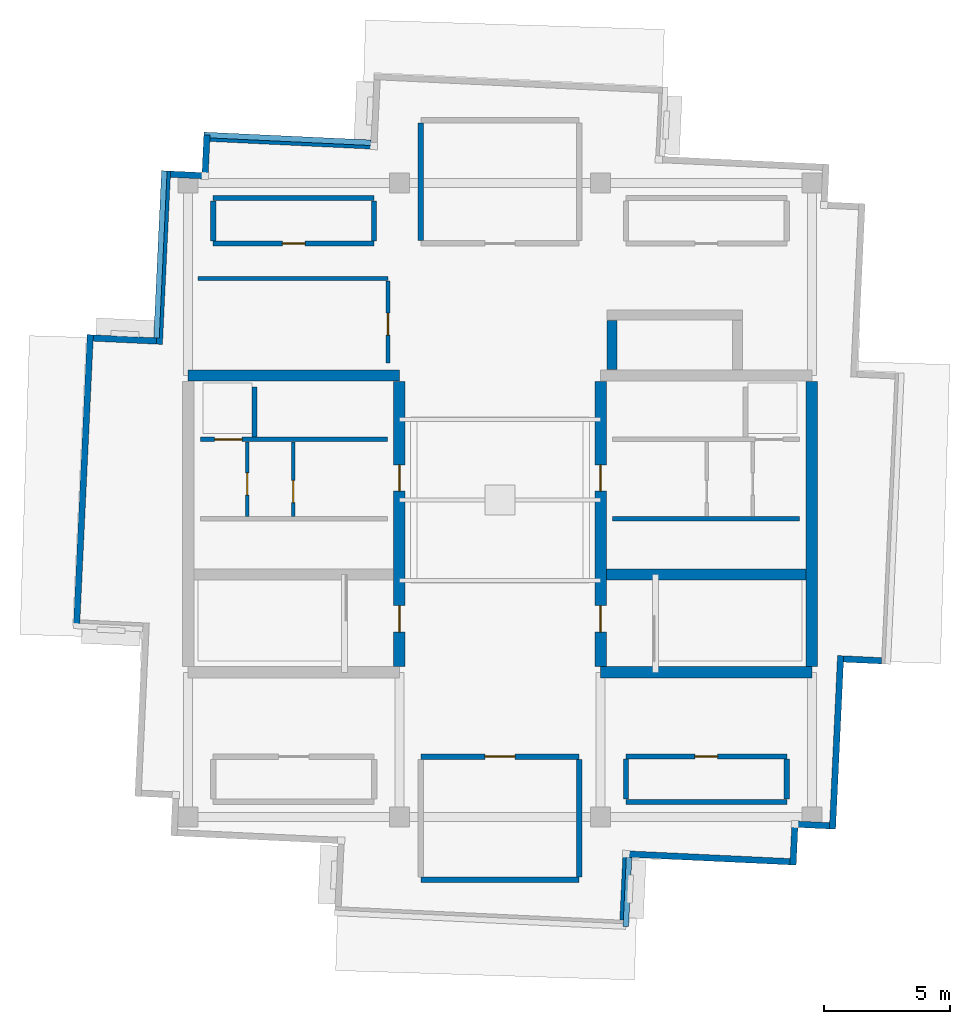
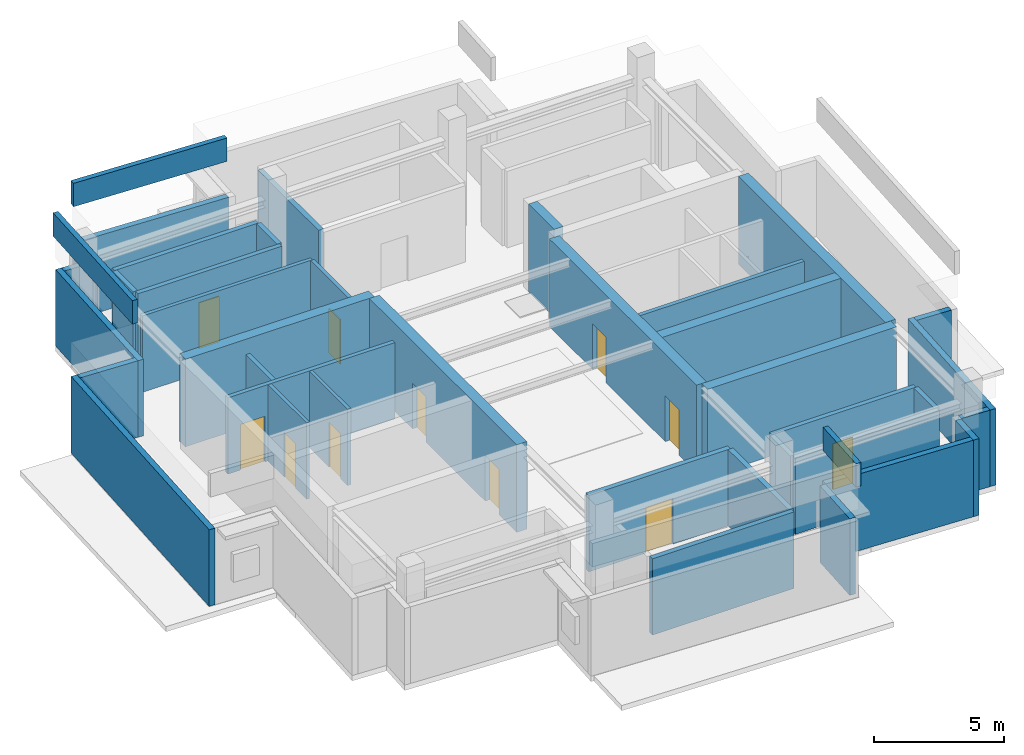
# One storey, part 2 of 4: 41 walls, 11 doors, 11 openings.
"""IFC4 building model written with IfcOpenShell, lengths in metres."""

from ifc_helpers import new_model, si_unit, direction, frame, frame_2d, origin, place, context, subcontext, project, spatial, rectangle, extrude, material, layer, layer_set, type_object, element, fill, save


model = new_model("IFC4")

# Units and contexts
model_context = context("Model", 3, precision=1e-05, world=origin(), true_north=direction((0.0, 1.0)))
body_context = subcontext(model_context, "Body", "Model", "MODEL_VIEW")
ifc_project = project(units=[si_unit("LENGTHUNIT", "METRE"), si_unit("AREAUNIT", "SQUARE_METRE"), si_unit("VOLUMEUNIT", "CUBIC_METRE"), si_unit("PLANEANGLEUNIT", "RADIAN"), si_unit("MASSUNIT", "GRAM", prefix="KILO")], contexts=[model_context])

# Site, building, storey
site_placement = place(None, origin())
site = spatial("IfcSite", under=ifc_project, at=site_placement, CompositionType="ELEMENT")
building_placement = place(site_placement, origin())
building = spatial("IfcBuilding", under=site, at=building_placement, Name="Qingluan Cross Belvedere", CompositionType="ELEMENT")
storey_placement = place(building_placement, frame((0.0, 0.0, 321.89990234375)))
storey = spatial("IfcBuildingStorey", under=building, at=storey_placement, Name="L79", CompositionType="ELEMENT", Elevation=321.89990234375)

# Wall
ifc_material_1 = material(Name="Concrete C50", Category="concrete")
ifc_layer_1 = layer(ifc_material_1, 0.449951171875, Name="CoreShearWall_450")
ifc_layer_set_1 = layer_set([ifc_layer_1], Name="Concrete C50")
wall_type_1 = type_object("IfcWallType", Name="CoreShearWall_450", PredefinedType="SHEAR", material=ifc_layer_set_1)
wall_1_placement = place(storey_placement, frame((-12.39990234375, 4.949951171875, 0.0), z_axis=(0.0, 0.0, 1.0), x_axis=(1.0, 0.0, 0.0)))
element("IfcWall", 1, at=wall_1_placement, inside=storey, type_object=wall_type_1, Name="Split core W shear wall L79-N", PredefinedType="SHEAR", context=body_context, shape_type="SweptSolid", body=[
    extrude(rectangle(XDim=8.39990234375, YDim=0.449951171875, at=frame_2d((4.199951171875, 0.0))), origin(), (0.0, 0.0, 1.0), 4.1201171875),
])

# Wall, openings, doors
wall_2_placement = place(storey_placement, frame((-4.0, -6.6201171875, 0.0), z_axis=(0.0, 0.0, 1.0), x_axis=(0.0, 1.0, 0.0)))
wall_2 = element("IfcWall", 2, at=wall_2_placement, inside=storey, type_object=wall_type_1, Name="Split core W shear wall L79-E", PredefinedType="SHEAR", context=body_context, shape_type="SweptSolid", body=[
    extrude(rectangle(XDim=11.340087890625, YDim=0.449951171875, at=frame_2d((5.669921875, 0.0))), origin(), (0.0, 0.0, 1.0), 4.1201171875),
])
opening_1_placement = place(wall_2_placement, frame((1.3701171875, 0.0, 0.0)))
opening_1 = element("IfcOpeningElement", 3, at=opening_1_placement, cuts=wall_2, Name="Opening FD-B11", PredefinedType="OPENING", context=body_context, shape_type="SweptSolid", body=[
    extrude(rectangle(XDim=1.050048828125, YDim=2.14990234375, at=frame_2d((0.52490234375, 1.074951171875))), frame((0.0, 0.23486328125, 0.0), z_axis=(0.0, -1.0, 0.0), x_axis=(1.0, 0.0, 0.0)), (0.0, 0.0, 1.0), 0.469970703125),
])
opening_2_placement = place(wall_2_placement, frame((6.969970703125, 0.0, 0.0)))
opening_2 = element("IfcOpeningElement", 4, at=opening_2_placement, cuts=wall_2, Name="Opening FD-B11", PredefinedType="OPENING", context=body_context, shape_type="SweptSolid", body=[
    extrude(rectangle(XDim=1.050048828125, YDim=2.14990234375, at=frame_2d((0.52490234375, 1.074951171875))), frame((0.0, 0.23486328125, 0.0), z_axis=(0.0, -1.0, 0.0), x_axis=(1.0, 0.0, 0.0)), (0.0, 0.0, 1.0), 0.469970703125),
])
ifc_material_2 = material(Name="Steel Class B smoke-seal fire door", Category="steel")
door_type_1 = type_object("IfcDoorType", Name="StairLobbyFireDoor_FDB", OperationType="NOTDEFINED", PredefinedType="DOOR", material=ifc_material_2)
door_1_placement = place(opening_1_placement, origin())
door_1 = element("IfcDoor", 5, at=door_1_placement, inside=storey, type_object=door_type_1, Name="Smoke-proof stair ST1 fire door L79", OperationType="SINGLE_SWING_LEFT", OverallHeight=2.14990234375, OverallWidth=1.050048828125, PredefinedType="DOOR", context=body_context, shape_type="SweptSolid", body=[
    extrude(rectangle(XDim=1.050048828125, YDim=2.14990234375, at=frame_2d((0.52490234375, 1.074951171875))), frame((0.0, 0.02490234375, 0.0), z_axis=(0.0, -1.0, 0.0), x_axis=(1.0, 0.0, 0.0)), (0.0, 0.0, 1.0), 0.050048828125),
])
fill(opening_1, door_1)
door_2_placement = place(opening_2_placement, origin())
door_2 = element("IfcDoor", 6, at=door_2_placement, inside=storey, type_object=door_type_1, Name="Firefighting lobby West fire door L79", OperationType="SINGLE_SWING_LEFT", OverallHeight=2.14990234375, OverallWidth=1.050048828125, PredefinedType="DOOR", context=body_context, shape_type="SweptSolid", body=[
    extrude(rectangle(XDim=1.050048828125, YDim=2.14990234375, at=frame_2d((0.52490234375, 1.074951171875))), frame((0.0, 0.02490234375, 0.0), z_axis=(0.0, -1.0, 0.0), x_axis=(1.0, 0.0, 0.0)), (0.0, 0.0, 1.0), 0.050048828125),
])
fill(opening_2, door_2)

# Wall
wall_3_placement = place(storey_placement, frame((4.0, -6.85009765625, 0.0), z_axis=(0.0, 0.0, 1.0), x_axis=(1.0, 0.0, 0.0)))
element("IfcWall", 7, at=wall_3_placement, inside=storey, type_object=wall_type_1, Name="Split core E shear wall L79-S", PredefinedType="SHEAR", context=body_context, shape_type="SweptSolid", body=[
    extrude(rectangle(XDim=8.39990234375, YDim=0.449951171875, at=frame_2d((4.199951171875, 0.0))), origin(), (0.0, 0.0, 1.0), 4.1201171875),
])

# Wall, openings, doors
wall_4_placement = place(storey_placement, frame((4.0, -6.6201171875, 0.0), z_axis=(0.0, 0.0, 1.0), x_axis=(0.0, 1.0, 0.0)))
wall_4 = element("IfcWall", 8, at=wall_4_placement, inside=storey, type_object=wall_type_1, Name="Split core E shear wall L79-W", PredefinedType="SHEAR", context=body_context, shape_type="SweptSolid", body=[
    extrude(rectangle(XDim=11.340087890625, YDim=0.449951171875, at=frame_2d((5.669921875, 0.0))), origin(), (0.0, 0.0, 1.0), 4.1201171875),
])
opening_3_placement = place(wall_4_placement, frame((1.3701171875, 0.0, 0.0)))
opening_3 = element("IfcOpeningElement", 9, at=opening_3_placement, cuts=wall_4, Name="Opening FD-B11", PredefinedType="OPENING", context=body_context, shape_type="SweptSolid", body=[
    extrude(rectangle(XDim=1.050048828125, YDim=2.14990234375, at=frame_2d((0.52490234375, 1.074951171875))), frame((0.0, 0.23486328125, 0.0), z_axis=(0.0, -1.0, 0.0), x_axis=(1.0, 0.0, 0.0)), (0.0, 0.0, 1.0), 0.469970703125),
])
opening_4_placement = place(wall_4_placement, frame((6.969970703125, 0.0, 0.0)))
opening_4 = element("IfcOpeningElement", 10, at=opening_4_placement, cuts=wall_4, Name="Opening FD-B11", PredefinedType="OPENING", context=body_context, shape_type="SweptSolid", body=[
    extrude(rectangle(XDim=1.050048828125, YDim=2.14990234375, at=frame_2d((0.52490234375, 1.074951171875))), frame((0.0, 0.23486328125, 0.0), z_axis=(0.0, -1.0, 0.0), x_axis=(1.0, 0.0, 0.0)), (0.0, 0.0, 1.0), 0.469970703125),
])
door_3_placement = place(opening_3_placement, origin())
door_3 = element("IfcDoor", 11, at=door_3_placement, inside=storey, type_object=door_type_1, Name="Smoke-proof stair ST2 fire door L79", OperationType="SINGLE_SWING_RIGHT", OverallHeight=2.14990234375, OverallWidth=1.050048828125, PredefinedType="DOOR", context=body_context, shape_type="SweptSolid", body=[
    extrude(rectangle(XDim=1.050048828125, YDim=2.14990234375, at=frame_2d((0.52490234375, 1.074951171875))), frame((0.0, 0.02490234375, 0.0), z_axis=(0.0, -1.0, 0.0), x_axis=(1.0, 0.0, 0.0)), (0.0, 0.0, 1.0), 0.050048828125),
])
fill(opening_3, door_3)
door_4_placement = place(opening_4_placement, origin())
door_4 = element("IfcDoor", 12, at=door_4_placement, inside=storey, type_object=door_type_1, Name="Firefighting lobby East fire door L79", OperationType="SINGLE_SWING_RIGHT", OverallHeight=2.14990234375, OverallWidth=1.050048828125, PredefinedType="DOOR", context=body_context, shape_type="SweptSolid", body=[
    extrude(rectangle(XDim=1.050048828125, YDim=2.14990234375, at=frame_2d((0.52490234375, 1.074951171875))), frame((0.0, 0.02490234375, 0.0), z_axis=(0.0, -1.0, 0.0), x_axis=(1.0, 0.0, 0.0)), (0.0, 0.0, 1.0), 0.050048828125),
])
fill(opening_4, door_4)

# Walls
wall_5_placement = place(storey_placement, frame((12.39990234375, -6.6201171875, 0.0), z_axis=(0.0, 0.0, 1.0), x_axis=(0.0, 1.0, 0.0)))
element("IfcWall", 13, at=wall_5_placement, inside=storey, type_object=wall_type_1, Name="Split core E shear wall L79-E", PredefinedType="SHEAR", context=body_context, shape_type="SweptSolid", body=[
    extrude(rectangle(XDim=11.340087890625, YDim=0.449951171875, at=frame_2d((5.669921875, 0.0))), origin(), (0.0, 0.0, 1.0), 4.1201171875),
])
wall_6_placement = place(storey_placement, frame((4.22998046875, -2.9599609375, 0.0), z_axis=(0.0, 0.0, 1.0), x_axis=(1.0, 0.0, 0.0)))
element("IfcWall", 14, at=wall_6_placement, inside=storey, type_object=wall_type_1, Name="Split core E shear wall L79-M", PredefinedType="SHEAR", context=body_context, shape_type="SweptSolid", body=[
    extrude(rectangle(XDim=7.93994140625, YDim=0.449951171875, at=frame_2d((3.969970703125, 0.0))), origin(), (0.0, 0.0, 1.0), 4.1201171875),
])
wall_7_placement = place(storey_placement, frame((4.449951171875, 5.179931640625, 0.0), z_axis=(0.0, 0.0, 1.0), x_axis=(0.0, 1.0, 0.0)))
element("IfcWall", 15, at=wall_7_placement, inside=storey, type_object=wall_type_1, Name="Express shuttle core wall L79-W", PredefinedType="SHEAR", context=body_context, shape_type="SweptSolid", body=[
    extrude(rectangle(XDim=1.9599609375, YDim=0.39990234375, at=frame_2d((0.97998046875, 0.0))), origin(), (0.0, 0.0, 1.0), 4.1201171875),
])
ifc_material_3 = material(Name="Gypsum plasterboard on steel stud acoustic partition", Category="steel")
ifc_layer_2 = layer(ifc_material_3, 0.159912109375, Name="CorridorPartition_160")
ifc_layer_set_2 = layer_set([ifc_layer_2], Name="Gypsum plasterboard on steel stud acoustic partition")
wall_type_2 = type_object("IfcWallType", Name="CorridorPartition_160", PredefinedType="PARTITIONING", material=ifc_layer_set_2)
wall_8_placement = place(storey_placement, frame((-12.0, 8.800048828125, 0.0), z_axis=(0.0, 0.0, 1.0), x_axis=(1.0, 0.0, 0.0)))
element("IfcWall", 16, at=wall_8_placement, inside=storey, type_object=wall_type_2, Name="Penthouse telemetry room wall N", PredefinedType="PARTITIONING", context=body_context, shape_type="SweptSolid", body=[
    extrude(rectangle(XDim=7.550048828125, YDim=0.159912109375, at=frame_2d((3.77490234375, 0.0))), origin(), (0.0, 0.0, 1.0), 3.590087890625),
])

# Wall, opening, door
wall_9_placement = place(storey_placement, frame((-4.449951171875, 5.449951171875, 0.0), z_axis=(0.0, 0.0, 1.0), x_axis=(0.0, 1.0, 0.0)))
wall_9 = element("IfcWall", 17, at=wall_9_placement, inside=storey, type_object=wall_type_2, Name="Penthouse telemetry room wall E", PredefinedType="PARTITIONING", context=body_context, shape_type="SweptSolid", body=[
    extrude(rectangle(XDim=3.260009765625, YDim=0.159912109375, at=frame_2d((1.6298828125, 0.0))), origin(), (0.0, 0.0, 1.0), 3.590087890625),
])
opening_5_placement = place(wall_9_placement, frame((1.10009765625, 0.0, 0.0)))
opening_5 = element("IfcOpeningElement", 18, at=opening_5_placement, cuts=wall_9, Name="Opening FD-B10", PredefinedType="OPENING", context=body_context, shape_type="SweptSolid", body=[
    extrude(rectangle(XDim=0.8798828125, YDim=2.10009765625, at=frame_2d((0.43994140625, 1.050048828125))), frame((0.0, 0.08984375, 0.0), z_axis=(0.0, -1.0, 0.0), x_axis=(1.0, 0.0, 0.0)), (0.0, 0.0, 1.0), 0.179931640625),
])
ifc_material_4 = material(Name="Steel Class B service fire door", Category="steel")
door_type_2 = type_object("IfcDoorType", Name="RiserServiceFireDoor_FDB", OperationType="NOTDEFINED", PredefinedType="DOOR", material=ifc_material_4)
door_5_placement = place(opening_5_placement, origin())
door_5 = element("IfcDoor", 19, at=door_5_placement, inside=storey, type_object=door_type_2, Name="Penthouse telemetry room door L79", OperationType="SINGLE_SWING_LEFT", OverallHeight=2.10009765625, OverallWidth=0.8798828125, PredefinedType="DOOR", context=body_context, shape_type="SweptSolid", body=[
    extrude(rectangle(XDim=0.8798828125, YDim=2.10009765625, at=frame_2d((0.43994140625, 1.050048828125))), frame((0.0, 0.02490234375, 0.0), z_axis=(0.0, -1.0, 0.0), x_axis=(1.0, 0.0, 0.0)), (0.0, 0.0, 1.0), 0.050048828125),
])
fill(opening_5, door_5)

wall_10_placement = place(storey_placement, frame((-10.050048828125, -0.652099609375, 0.0), z_axis=(0.0, 0.0, 1.0), x_axis=(0.0, 1.0, 0.0)))
wall_10 = element("IfcWall", 20, at=wall_10_placement, inside=storey, type_object=wall_type_2, Name="Partition L79:wv", PredefinedType="PARTITIONING", context=body_context, shape_type="SweptSolid", body=[
    extrude(rectangle(XDim=2.962158203125, YDim=0.139892578125, at=frame_2d((1.48095703125, 0.0))), origin(), (0.0, 0.0, 1.0), 3.590087890625),
])
opening_6_placement = place(wall_10_placement, frame((0.85009765625, 0.0, 0.0)))
opening_6 = element("IfcOpeningElement", 21, at=opening_6_placement, cuts=wall_10, Name="Opening FD-B10", PredefinedType="OPENING", context=body_context, shape_type="SweptSolid", body=[
    extrude(rectangle(XDim=0.8798828125, YDim=2.10009765625, at=frame_2d((0.43994140625, 1.050048828125))), frame((0.0, 0.079833984375, 0.0), z_axis=(0.0, -1.0, 0.0), x_axis=(1.0, 0.0, 0.0)), (0.0, 0.0, 1.0), 0.159912109375),
])
door_6_placement = place(opening_6_placement, origin())
door_6 = element("IfcDoor", 22, at=door_6_placement, inside=storey, type_object=door_type_2, Name="Service closet inner door L79", OperationType="SINGLE_SWING_RIGHT", OverallHeight=2.10009765625, OverallWidth=0.8798828125, PredefinedType="DOOR", context=body_context, shape_type="SweptSolid", body=[
    extrude(rectangle(XDim=0.8798828125, YDim=2.10009765625, at=frame_2d((0.43994140625, 1.050048828125))), frame((0.0, 0.02490234375, 0.0), z_axis=(0.0, -1.0, 0.0), x_axis=(1.0, 0.0, 0.0)), (0.0, 0.0, 1.0), 0.050048828125),
])
fill(opening_6, door_6)

# Walls
wall_11_placement = place(storey_placement, frame((-3.14990234375, 10.31494140625, 0.0), z_axis=(0.0, 0.0, 1.0), x_axis=(0.0, 1.0, 0.0)))
element("IfcWall", 23, at=wall_11_placement, inside=storey, type_object=wall_type_2, Name="Partition L79:roof_tank:W", PredefinedType="PARTITIONING", context=body_context, shape_type="SweptSolid", body=[
    extrude(rectangle(XDim=4.670166015625, YDim=0.219970703125, at=frame_2d((2.3349609375, 0.0))), origin(), (0.0, 0.0, 1.0), 3.590087890625),
])
wall_12_placement = place(storey_placement, frame((-3.14990234375, -15.10009765625, 0.0), z_axis=(0.0, 0.0, 1.0), x_axis=(1.0, 0.0, 0.0)))
element("IfcWall", 24, at=wall_12_placement, inside=storey, type_object=wall_type_2, Name="Partition L79:roof_tank_s:S", PredefinedType="PARTITIONING", context=body_context, shape_type="SweptSolid", body=[
    extrude(rectangle(XDim=6.2998046875, YDim=0.219970703125, at=frame_2d((3.14990234375, 0.0))), origin(), (0.0, 0.0, 1.0), 3.590087890625),
])

# Wall, opening, door
wall_13_placement = place(storey_placement, frame((-3.14990234375, -10.199951171875, 0.0), z_axis=(0.0, 0.0, 1.0), x_axis=(1.0, 0.0, 0.0)))
wall_13 = element("IfcWall", 25, at=wall_13_placement, inside=storey, type_object=wall_type_2, Name="Partition L79:roof_tank_s:N", PredefinedType="PARTITIONING", context=body_context, shape_type="SweptSolid", body=[
    extrude(rectangle(XDim=6.2998046875, YDim=0.219970703125, at=frame_2d((3.14990234375, 0.0))), origin(), (0.0, 0.0, 1.0), 3.590087890625),
])
opening_7_placement = place(wall_13_placement, frame((2.550048828125, 0.0, 0.0)))
opening_7 = element("IfcOpeningElement", 26, at=opening_7_placement, cuts=wall_13, Name="Opening FD-A12", PredefinedType="OPENING", context=body_context, shape_type="SweptSolid", body=[
    extrude(rectangle(XDim=1.199951171875, YDim=2.14990234375, at=frame_2d((0.60009765625, 1.074951171875))), frame((0.0, 0.119873046875, 0.0), z_axis=(0.0, -1.0, 0.0), x_axis=(1.0, 0.0, 0.0)), (0.0, 0.0, 1.0), 0.239990234375),
])
ifc_material_5 = material(Name="Insulated steel Class A fire door", Category="steel")
door_type_3 = type_object("IfcDoorType", Name="RefugeCompartmentDoor_FDA", OperationType="NOTDEFINED", PredefinedType="DOOR", material=ifc_material_5)
door_7_placement = place(opening_7_placement, origin())
door_7 = element("IfcDoor", 27, at=door_7_placement, inside=storey, type_object=door_type_3, Name="Gravity fire water reserve tank room South L79 door", OperationType="SINGLE_SWING_LEFT", OverallHeight=2.14990234375, OverallWidth=1.199951171875, PredefinedType="DOOR", context=body_context, shape_type="SweptSolid", body=[
    extrude(rectangle(XDim=1.199951171875, YDim=2.14990234375, at=frame_2d((0.60009765625, 1.074951171875))), frame((0.0, 0.02490234375, 0.0), z_axis=(0.0, -1.0, 0.0), x_axis=(1.0, 0.0, 0.0)), (0.0, 0.0, 1.0), 0.050048828125),
])
fill(opening_7, door_7)

# Walls
wall_14_placement = place(storey_placement, frame((3.14990234375, -14.985107421875, 0.0), z_axis=(0.0, 0.0, 1.0), x_axis=(0.0, 1.0, 0.0)))
element("IfcWall", 28, at=wall_14_placement, inside=storey, type_object=wall_type_2, Name="Partition L79:roof_tank_s:E", PredefinedType="PARTITIONING", context=body_context, shape_type="SweptSolid", body=[
    extrude(rectangle(XDim=4.670166015625, YDim=0.219970703125, at=frame_2d((2.3349609375, 0.0))), origin(), (0.0, 0.0, 1.0), 3.590087890625),
])
wall_15_placement = place(storey_placement, frame((5.0, -12.0, 0.0), z_axis=(0.0, 0.0, 1.0), x_axis=(1.0, 0.0, 0.0)))
element("IfcWall", 29, at=wall_15_placement, inside=storey, type_object=wall_type_2, Name="Partition L79:roof_smoke:S", PredefinedType="PARTITIONING", context=body_context, shape_type="SweptSolid", body=[
    extrude(rectangle(XDim=6.39990234375, YDim=0.199951171875, at=frame_2d((3.199951171875, 0.0))), origin(), (0.0, 0.0, 1.0), 3.590087890625),
])

# Wall, opening, door
wall_16_placement = place(storey_placement, frame((5.0, -10.199951171875, 0.0), z_axis=(0.0, 0.0, 1.0), x_axis=(1.0, 0.0, 0.0)))
wall_16 = element("IfcWall", 30, at=wall_16_placement, inside=storey, type_object=wall_type_2, Name="Partition L79:roof_smoke:N", PredefinedType="PARTITIONING", context=body_context, shape_type="SweptSolid", body=[
    extrude(rectangle(XDim=6.39990234375, YDim=0.199951171875, at=frame_2d((3.199951171875, 0.0))), origin(), (0.0, 0.0, 1.0), 3.590087890625),
])
opening_8_placement = place(wall_16_placement, frame((2.75, 0.0, 0.0)))
opening_8 = element("IfcOpeningElement", 31, at=opening_8_placement, cuts=wall_16, Name="Opening FD-B09", PredefinedType="OPENING", context=body_context, shape_type="SweptSolid", body=[
    extrude(rectangle(XDim=0.89990234375, YDim=2.14990234375, at=frame_2d((0.449951171875, 1.074951171875))), frame((0.0, 0.10986328125, 0.0), z_axis=(0.0, -1.0, 0.0), x_axis=(1.0, 0.0, 0.0)), (0.0, 0.0, 1.0), 0.219970703125),
])
ifc_material_6 = material(Name="Steel Class B control room fire door", Category="steel")
door_type_4 = type_object("IfcDoorType", Name="ControlServiceFireDoor_FDB", OperationType="NOTDEFINED", PredefinedType="DOOR", material=ifc_material_6)
door_8_placement = place(opening_8_placement, origin())
door_8 = element("IfcDoor", 32, at=door_8_placement, inside=storey, type_object=door_type_4, Name="Crown smoke extract fan room L79 door", OperationType="SINGLE_SWING_LEFT", OverallHeight=2.14990234375, OverallWidth=0.89990234375, PredefinedType="DOOR", context=body_context, shape_type="SweptSolid", body=[
    extrude(rectangle(XDim=0.89990234375, YDim=2.14990234375, at=frame_2d((0.449951171875, 1.074951171875))), frame((0.0, 0.02490234375, 0.0), z_axis=(0.0, -1.0, 0.0), x_axis=(1.0, 0.0, 0.0)), (0.0, 0.0, 1.0), 0.050048828125),
])
fill(opening_8, door_8)

# Walls
for number, where, z_axis, x_axis, name in (
    (33, (5.0, -11.89501953125, 0.0), (0.0, 0.0, 1.0), (0.0, 1.0, 0.0), "Partition L79:roof_smoke:W"),
    (34, (11.39990234375, -11.89501953125, 0.0), (0.0, 0.0, 1.0), (0.0, 1.0, 0.0), "Partition L79:roof_smoke:E"),
):
    element("IfcWall", number, at=place(storey_placement, frame(where, z_axis=z_axis, x_axis=x_axis)), inside=storey, type_object=wall_type_2, Name=name, PredefinedType="PARTITIONING", context=body_context, shape_type="SweptSolid", body=[
        extrude(rectangle(XDim=1.590087890625, YDim=0.199951171875, at=frame_2d((0.794921875, 0.0))), origin(), (0.0, 0.0, 1.0), 3.590087890625),
    ])

# Wall, opening, door
wall_17_placement = place(storey_placement, frame((-11.39990234375, 10.199951171875, 0.0), z_axis=(0.0, 0.0, 1.0), x_axis=(1.0, 0.0, 0.0)))
wall_17 = element("IfcWall", 35, at=wall_17_placement, inside=storey, type_object=wall_type_2, Name="Partition L79:roof_elec:S", PredefinedType="PARTITIONING", context=body_context, shape_type="SweptSolid", body=[
    extrude(rectangle(XDim=6.39990234375, YDim=0.199951171875, at=frame_2d((3.199951171875, 0.0))), origin(), (0.0, 0.0, 1.0), 3.590087890625),
])
opening_9_placement = place(wall_17_placement, frame((2.75, 0.0, 0.0)))
opening_9 = element("IfcOpeningElement", 36, at=opening_9_placement, cuts=wall_17, Name="Opening FD-B09", PredefinedType="OPENING", context=body_context, shape_type="SweptSolid", body=[
    extrude(rectangle(XDim=0.89990234375, YDim=2.14990234375, at=frame_2d((0.449951171875, 1.074951171875))), frame((0.0, 0.10986328125, 0.0), z_axis=(0.0, -1.0, 0.0), x_axis=(1.0, 0.0, 0.0)), (0.0, 0.0, 1.0), 0.219970703125),
])
door_9_placement = place(opening_9_placement, origin())
door_9 = element("IfcDoor", 37, at=door_9_placement, inside=storey, type_object=door_type_4, Name="Crown emergency switchgear room L79 door", OperationType="SINGLE_SWING_RIGHT", OverallHeight=2.14990234375, OverallWidth=0.89990234375, PredefinedType="DOOR", context=body_context, shape_type="SweptSolid", body=[
    extrude(rectangle(XDim=0.89990234375, YDim=2.14990234375, at=frame_2d((0.449951171875, 1.074951171875))), frame((0.0, 0.02490234375, 0.0), z_axis=(0.0, -1.0, 0.0), x_axis=(1.0, 0.0, 0.0)), (0.0, 0.0, 1.0), 0.050048828125),
])
fill(opening_9, door_9)

# Walls
wall_18_placement = place(storey_placement, frame((-11.39990234375, 12.0, 0.0), z_axis=(0.0, 0.0, 1.0), x_axis=(1.0, 0.0, 0.0)))
element("IfcWall", 38, at=wall_18_placement, inside=storey, type_object=wall_type_2, Name="Partition L79:roof_elec:N", PredefinedType="PARTITIONING", context=body_context, shape_type="SweptSolid", body=[
    extrude(rectangle(XDim=6.39990234375, YDim=0.199951171875, at=frame_2d((3.199951171875, 0.0))), origin(), (0.0, 0.0, 1.0), 3.590087890625),
])
for number, where, z_axis, x_axis, name in (
    (39, (-11.39990234375, 10.304931640625, 0.0), (0.0, 0.0, 1.0), (0.0, 1.0, 0.0), "Partition L79:roof_elec:W"),
    (40, (-5.0, 10.304931640625, 0.0), (0.0, 0.0, 1.0), (0.0, 1.0, 0.0), "Partition L79:roof_elec:E"),
):
    element("IfcWall", number, at=place(storey_placement, frame(where, z_axis=z_axis, x_axis=x_axis)), inside=storey, type_object=wall_type_2, Name=name, PredefinedType="PARTITIONING", context=body_context, shape_type="SweptSolid", body=[
        extrude(rectangle(XDim=1.590087890625, YDim=0.199951171875, at=frame_2d((0.794921875, 0.0))), origin(), (0.0, 0.0, 1.0), 3.590087890625),
    ])
ifc_material_7 = material(Name="Precast concrete C45", Category="concrete")
ifc_layer_3 = layer(ifc_material_7, 0.25, Name="PrecastCrownWall_250")
ifc_layer_set_3 = layer_set([ifc_layer_3], Name="Precast concrete C45")
wall_type_3 = type_object("IfcWallType", Name="PrecastCrownWall_250", PredefinedType="STANDARD", material=ifc_layer_set_3)
wall_19_placement = place(storey_placement, frame((13.662353515625, -6.320556640625, 0.0), z_axis=(0.0, 0.0, 1.0), x_axis=(0.998892513999, -0.047050456713, 0.0)))
element("IfcWall", 41, at=wall_19_placement, inside=storey, type_object=wall_type_3, Name="Facade wall L79-EA", PredefinedType="STANDARD", context=body_context, shape_type="SweptSolid", body=[
    extrude(rectangle(XDim=1.510009765625, YDim=0.25, at=frame_2d((0.7548828125, 0.0))), origin(), (0.0, 0.0, 1.0), 3.60009765625),
])
wall_20_placement = place(storey_placement, frame((-13.662353515625, 6.320556640625, 0.0), z_axis=(0.0, 0.0, 1.0), x_axis=(-0.998891343142, 0.0470753077, 0.0)))
element("IfcWall", 42, at=wall_20_placement, inside=storey, type_object=wall_type_3, Name="Facade wall L79-WA", PredefinedType="STANDARD", context=body_context, shape_type="SweptSolid", body=[
    extrude(rectangle(XDim=2.510009765625, YDim=0.25, at=frame_2d((1.2548828125, 0.0))), origin(), (0.0, 0.0, 1.0), 3.60009765625),
])
wall_21_placement = place(storey_placement, frame((-16.28857421875, 6.569580078125, 0.0), z_axis=(0.0, 0.0, 1.0), x_axis=(-0.04712178474, -0.998889151709, 0.0)))
element("IfcWall", 43, at=wall_21_placement, inside=storey, type_object=wall_type_3, Name="Arm tip precast facade wall L79-W", PredefinedType="STANDARD", context=body_context, shape_type="SweptSolid", body=[
    extrude(rectangle(XDim=11.590087890625, YDim=0.25, at=frame_2d((5.794921875, 0.0))), origin(), (0.0, 0.0, 1.0), 3.60009765625),
])
wall_22_placement = place(storey_placement, frame((4.888671875, -16.703857421875, 0.0), z_axis=(0.0, 0.0, 1.0), x_axis=(0.0470753077, 0.998891343142, 0.0)))
element("IfcWall", 44, at=wall_22_placement, inside=storey, type_object=wall_type_3, Name="Facade wall L79-SB", PredefinedType="STANDARD", context=body_context, shape_type="SweptSolid", body=[
    extrude(rectangle(XDim=2.510009765625, YDim=0.25, at=frame_2d((1.2548828125, 0.0))), origin(), (0.0, 0.0, 1.0), 3.60009765625),
])
wall_23_placement = place(storey_placement, frame((-13.54345703125, 6.18994140625, 0.0), z_axis=(0.0, 0.0, 1.0), x_axis=(0.047094441475, 0.998890441231, 0.0)))
element("IfcWall", 45, at=wall_23_placement, inside=storey, type_object=wall_type_3, Name="Corner wall L79-NW1", PredefinedType="STANDARD", context=body_context, shape_type="SweptSolid", body=[
    extrude(rectangle(XDim=6.89990234375, YDim=0.25, at=frame_2d((3.449951171875, 0.0))), origin(), (0.0, 0.0, 1.0), 3.60009765625),
])
wall_24_placement = place(storey_placement, frame((-13.099365234375, 12.951416015625, 0.0), z_axis=(0.0, 0.0, 1.0), x_axis=(0.99889143794, -0.047073296156, 0.0)))
element("IfcWall", 46, at=wall_24_placement, inside=storey, type_object=wall_type_3, Name="Corner wall L79-NW2", PredefinedType="STANDARD", context=body_context, shape_type="SweptSolid", body=[
    extrude(rectangle(XDim=1.25, YDim=0.25, at=frame_2d((0.625, 0.0))), origin(), (0.0, 0.0, 1.0), 3.60009765625),
])
wall_25_placement = place(storey_placement, frame((-11.72021484375, 13.011474609375, 0.0), z_axis=(0.0, 0.0, 1.0), x_axis=(0.047194015166, 0.99888574168, 0.0)))
element("IfcWall", 47, at=wall_25_placement, inside=storey, type_object=wall_type_3, Name="Corner wall L79-NW3", PredefinedType="STANDARD", context=body_context, shape_type="SweptSolid", body=[
    extrude(rectangle(XDim=1.500244140625, YDim=0.25, at=frame_2d((0.75, 0.0))), origin(), (0.0, 0.0, 1.0), 3.60009765625),
])
wall_26_placement = place(storey_placement, frame((-11.530517578125, 14.379150390625, 0.0), z_axis=(0.0, 0.0, 1.0), x_axis=(0.998889611537, -0.04711203629, 0.0)))
element("IfcWall", 48, at=wall_26_placement, inside=storey, type_object=wall_type_3, Name="Corner wall L79-NW4", PredefinedType="STANDARD", context=body_context, shape_type="SweptSolid", body=[
    extrude(rectangle(XDim=6.39990234375, YDim=0.25, at=frame_2d((3.199951171875, 0.0))), origin(), (0.0, 0.0, 1.0), 3.60009765625),
])
wall_27_placement = place(storey_placement, frame((13.54345703125, -6.18994140625, 0.0), z_axis=(0.0, 0.0, 1.0), x_axis=(-0.047094441475, -0.998890441231, 0.0)))
element("IfcWall", 49, at=wall_27_placement, inside=storey, type_object=wall_type_3, Name="Corner wall L79-SE1", PredefinedType="STANDARD", context=body_context, shape_type="SweptSolid", body=[
    extrude(rectangle(XDim=6.89990234375, YDim=0.25, at=frame_2d((3.449951171875, 0.0))), origin(), (0.0, 0.0, 1.0), 3.60009765625),
])
wall_28_placement = place(storey_placement, frame((13.099365234375, -12.951416015625, 0.0), z_axis=(0.0, 0.0, 1.0), x_axis=(-0.99889143794, 0.047073296156, 0.0)))
element("IfcWall", 50, at=wall_28_placement, inside=storey, type_object=wall_type_3, Name="Corner wall L79-SE2", PredefinedType="STANDARD", context=body_context, shape_type="SweptSolid", body=[
    extrude(rectangle(XDim=1.25, YDim=0.25, at=frame_2d((0.625, 0.0))), origin(), (0.0, 0.0, 1.0), 3.60009765625),
])
wall_29_placement = place(storey_placement, frame((11.72021484375, -13.011474609375, 0.0), z_axis=(0.0, 0.0, 1.0), x_axis=(-0.047194015166, -0.99888574168, 0.0)))
element("IfcWall", 51, at=wall_29_placement, inside=storey, type_object=wall_type_3, Name="Corner wall L79-SE3", PredefinedType="STANDARD", context=body_context, shape_type="SweptSolid", body=[
    extrude(rectangle(XDim=1.500244140625, YDim=0.25, at=frame_2d((0.75, 0.0))), origin(), (0.0, 0.0, 1.0), 3.60009765625),
])
wall_30_placement = place(storey_placement, frame((11.530517578125, -14.379150390625, 0.0), z_axis=(0.0, 0.0, 1.0), x_axis=(-0.998889611537, 0.04711203629, 0.0)))
element("IfcWall", 52, at=wall_30_placement, inside=storey, type_object=wall_type_3, Name="Corner wall L79-SE4", PredefinedType="STANDARD", context=body_context, shape_type="SweptSolid", body=[
    extrude(rectangle(XDim=6.39990234375, YDim=0.25, at=frame_2d((3.199951171875, 0.0))), origin(), (0.0, 0.0, 1.0), 3.60009765625),
])
ifc_material_8 = material(Name="Precast concrete C45", Category="concrete")
ifc_layer_4 = layer(ifc_material_8, 0.219970703125, Name="RoofParapetWall_220")
ifc_layer_set_4 = layer_set([ifc_layer_4], Name="Precast concrete C45")
wall_type_4 = type_object("IfcWallType", Name="RoofParapetWall_220", PredefinedType="PARAPET", material=ifc_layer_set_4)
wall_31_placement = place(storey_placement, frame((5.001708984375, -16.95947265625, 5.2001953125), z_axis=(0.0, 0.0, 1.0), x_axis=(0.047056642383, 0.998892222618, 0.0)))
element("IfcWall", 53, at=wall_31_placement, inside=storey, type_object=wall_type_4, Name="Crown plant roof concrete parapet 1", PredefinedType="PARAPET", context=body_context, shape_type="SweptSolid", body=[
    extrude(rectangle(XDim=2.76025390625, YDim=0.219970703125, at=frame_2d((1.380126953125, 0.0))), origin(), (0.0, 0.0, 1.0), 1.099853515625),
])
wall_32_placement = place(storey_placement, frame((-5.131591796875, 14.202392578125, 5.2001953125), z_axis=(0.0, 0.0, 1.0), x_axis=(-0.998888395554, 0.047137811014, 0.0)))
element("IfcWall", 54, at=wall_32_placement, inside=storey, type_object=wall_type_4, Name="Crown plant roof concrete parapet 16", PredefinedType="PARAPET", context=body_context, shape_type="SweptSolid", body=[
    extrude(rectangle(XDim=6.650146484375, YDim=0.219970703125, at=frame_2d((3.3251953125, 0.0))), origin(), (0.0, 0.0, 1.0), 1.099853515625),
])
wall_33_placement = place(storey_placement, frame((-13.34326171875, 13.088134765625, 5.2001953125), z_axis=(0.0, 0.0, 1.0), x_axis=(-0.047102908112, -0.99889004202, 0.0)))
element("IfcWall", 55, at=wall_33_placement, inside=storey, type_object=wall_type_4, Name="Crown plant roof concrete parapet 19", PredefinedType="PARAPET", context=body_context, shape_type="SweptSolid", body=[
    extrude(rectangle(XDim=6.64990234375, YDim=0.219970703125, at=frame_2d((3.324951171875, 0.0))), origin(), (0.0, 0.0, 1.0), 1.099853515625),
])

# Wall, opening, door
ifc_material_9 = material(Name="Concrete C40", Category="concrete")
ifc_layer_5 = layer(ifc_material_9, 0.219970703125, Name="ShaftEnclosureWall_250")
ifc_layer_set_5 = layer_set([ifc_layer_5], Name="Concrete C40")
wall_type_5 = type_object("IfcWallType", Name="ShaftEnclosureWall_250", PredefinedType="SOLIDWALL", material=ifc_layer_set_5)
wall_34_placement = place(storey_placement, frame((-11.89990234375, 2.409912109375, 0.0), z_axis=(0.0, 0.0, 1.0), x_axis=(1.0, 0.0, 0.0)))
wall_34 = element("IfcWall", 56, at=wall_34_placement, inside=storey, type_object=wall_type_5, Name="Core-W north hoistway wall L79", PredefinedType="SOLIDWALL", context=body_context, shape_type="SweptSolid", body=[
    extrude(rectangle(XDim=7.419921875, YDim=0.179931640625, at=frame_2d((3.7099609375, 0.0))), origin(), (0.0, 0.0, 1.0), 3.590087890625),
])
opening_10_placement = place(wall_34_placement, frame((0.550048828125, 0.0, 0.0)))
opening_10 = element("IfcOpeningElement", 57, at=opening_10_placement, cuts=wall_34, Name="Opening LD-11", PredefinedType="OPENING", context=body_context, shape_type="SweptSolid", body=[
    extrude(rectangle(XDim=1.10009765625, YDim=2.14990234375, at=frame_2d((0.550048828125, 1.074951171875))), frame((0.0, 0.099853515625, 0.0), z_axis=(0.0, -1.0, 0.0), x_axis=(1.0, 0.0, 0.0)), (0.0, 0.0, 1.0), 0.199951171875),
])
ifc_material_10 = material(Name="Brushed stainless steel centre-opening lift landing door", Category="steel")
door_type_5 = type_object("IfcDoorType", Name="LiftLandingSlidingDoor_1100", OperationType="DOUBLE_DOOR_SLIDING", PredefinedType="DOOR", material=ifc_material_10)
door_10_placement = place(opening_10_placement, origin())
door_10 = element("IfcDoor", 58, at=door_10_placement, inside=storey, type_object=door_type_5, Name="Lift landing sliding door FL1 L79", OperationType="DOUBLE_DOOR_SLIDING", OverallHeight=2.14990234375, OverallWidth=1.10009765625, PredefinedType="DOOR", context=body_context, shape_type="SweptSolid", body=[
    extrude(rectangle(XDim=1.10009765625, YDim=2.14990234375, at=frame_2d((0.550048828125, 1.074951171875))), frame((0.0, 0.02490234375, 0.0), z_axis=(0.0, -1.0, 0.0), x_axis=(1.0, 0.0, 0.0)), (0.0, 0.0, 1.0), 0.050048828125),
])
fill(opening_10, door_10)

# Walls
wall_35_placement = place(storey_placement, frame((4.47998046875, -0.75, 0.0), z_axis=(0.0, 0.0, 1.0), x_axis=(1.0, 0.0, 0.0)))
element("IfcWall", 59, at=wall_35_placement, inside=storey, type_object=wall_type_5, Name="Core-E mid hoistway wall L79", PredefinedType="SOLIDWALL", context=body_context, shape_type="SweptSolid", body=[
    extrude(rectangle(XDim=7.419921875, YDim=0.179931640625, at=frame_2d((3.7099609375, 0.0))), origin(), (0.0, 0.0, 1.0), 3.590087890625),
])
wall_36_placement = place(storey_placement, frame((-9.760009765625, 2.5, 0.0), z_axis=(0.0, 0.0, 1.0), x_axis=(0.0, 1.0, 0.0)))
element("IfcWall", 60, at=wall_36_placement, inside=storey, type_object=wall_type_5, Name="Hoistway enclosure divider FL1E L79", PredefinedType="SOLIDWALL", context=body_context, shape_type="SweptSolid", body=[
    extrude(rectangle(XDim=1.989990234375, YDim=0.179931640625, at=frame_2d((0.9951171875, 0.0))), origin(), (0.0, 0.0, 1.0), 3.590087890625),
])

# Wall, opening, door
wall_37_placement = place(storey_placement, frame((-8.219970703125, -0.64990234375, 0.0), z_axis=(0.0, 0.0, 1.0), x_axis=(0.0, 1.0, 0.0)))
wall_37 = element("IfcWall", 61, at=wall_37_placement, inside=storey, type_object=wall_type_5, Name="Core-W service corridor wall L79", PredefinedType="SOLIDWALL", context=body_context, shape_type="SweptSolid", body=[
    extrude(rectangle(XDim=2.9599609375, YDim=0.139892578125, at=frame_2d((1.47998046875, 0.0))), origin(), (0.0, 0.0, 1.0), 3.590087890625),
])
opening_11_placement = place(wall_37_placement, frame((0.550048828125, 0.0, 0.0)))
opening_11 = element("IfcOpeningElement", 62, at=opening_11_placement, cuts=wall_37, Name="Opening FD-B10", PredefinedType="OPENING", context=body_context, shape_type="SweptSolid", body=[
    extrude(rectangle(XDim=0.8798828125, YDim=2.10009765625, at=frame_2d((0.43994140625, 1.050048828125))), frame((0.0, 0.079833984375, 0.0), z_axis=(0.0, -1.0, 0.0), x_axis=(1.0, 0.0, 0.0)), (0.0, 0.0, 1.0), 0.159912109375),
])
door_11_placement = place(opening_11_placement, origin())
door_11 = element("IfcDoor", 63, at=door_11_placement, inside=storey, type_object=door_type_2, Name="Core-W service room door L79", OperationType="SINGLE_SWING_RIGHT", OverallHeight=2.10009765625, OverallWidth=0.8798828125, PredefinedType="DOOR", context=body_context, shape_type="SweptSolid", body=[
    extrude(rectangle(XDim=0.8798828125, YDim=2.10009765625, at=frame_2d((0.43994140625, 1.050048828125))), frame((0.0, 0.02490234375, 0.0), z_axis=(0.0, -1.0, 0.0), x_axis=(1.0, 0.0, 0.0)), (0.0, 0.0, 1.0), 0.050048828125),
])
fill(opening_11, door_11)

save(model, "model.ifc")
